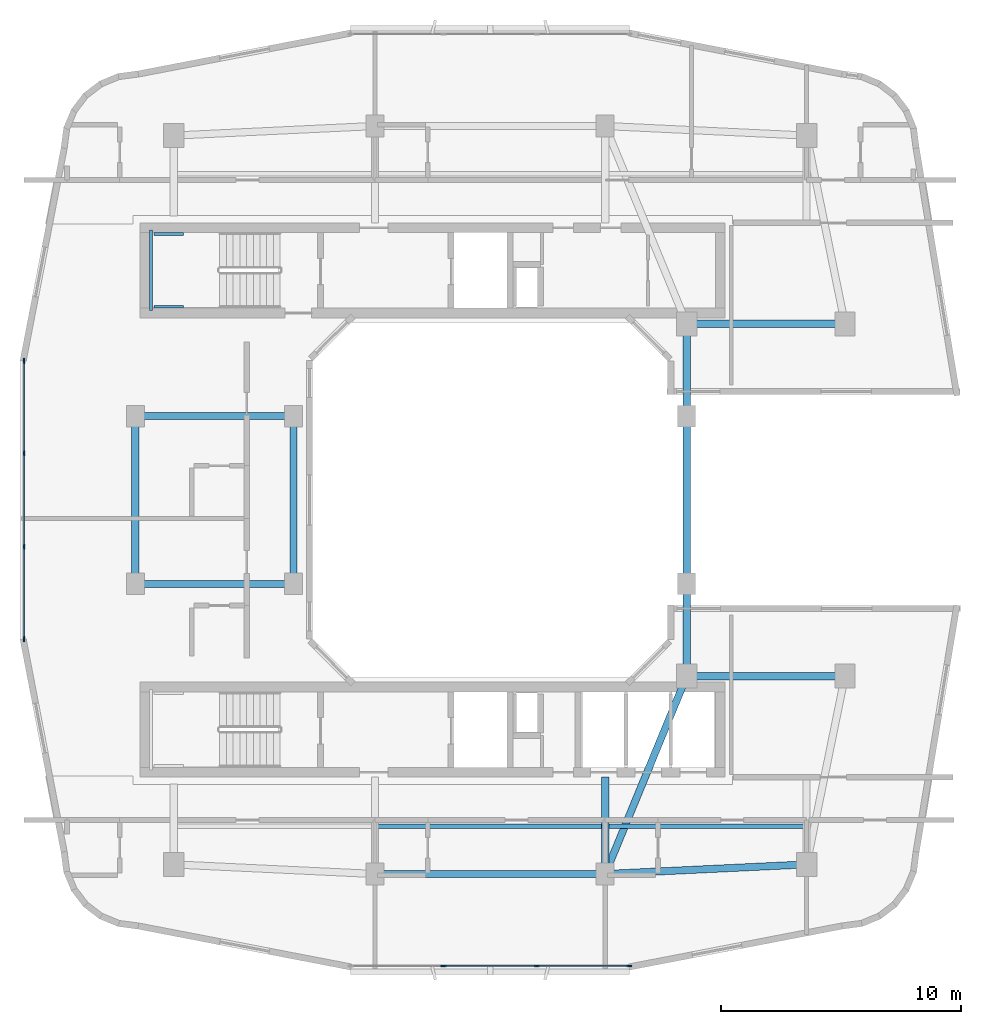
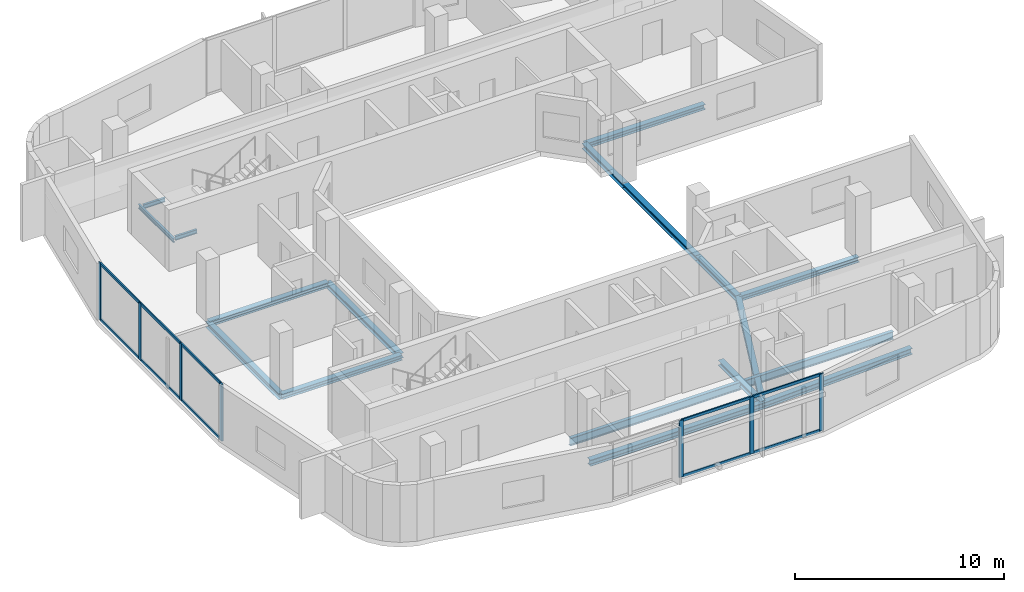
# One storey, part 2 of 12: 18 beams, 17 members, 2 elements without a shape of their own.
"""IFC4 building model written with IfcOpenShell, lengths in metres."""

import ifcopenshell
import ifcopenshell.guid

model = None  # the IFC model being written
_history = None  # IfcOwnerHistory: only IFC2X3 demands one
_inside = {}  # id of a spatial element -> (the spatial element, [elements in it])
_under = {}  # id of a project, library or spatial element -> (it, [spatial elements below it])
_declared = {}  # id of a project -> (the project, [libraries it declares])
_typed = {}  # id of a type object -> (the type object, [elements of that type])
_made_of = {}  # id of a material, layer set ... -> (it, [elements and type objects made of it])


def new_model(schema):
    """Start an empty IFC model of exactly this schema.

    Asked for "IFC4X3", IfcOpenShell would pick the latest addendum, in which some entities
    have other attributes; the version numbers below select the first issue.
    IFC2X3 requires an IfcOwnerHistory on every rooted entity: one is made here for all.
    """
    global model, _history
    if schema == "IFC4X3":
        model = ifcopenshell.file(schema_version=(4, 3, 0, 0))
    else:
        model = ifcopenshell.file(schema=schema)
    _inside.clear()
    _under.clear()
    _declared.clear()
    _typed.clear()
    _made_of.clear()
    _history = None
    if model.schema == "IFC2X3":
        org = make("IfcOrganization", Name="unknown")
        user = make(
            "IfcPersonAndOrganization",
            ThePerson=make("IfcPerson", FamilyName="unknown"),
            TheOrganization=org,
        )
        app = make(
            "IfcApplication",
            ApplicationDeveloper=org,
            Version="unknown",
            ApplicationFullName="unknown",
            ApplicationIdentifier="unknown",
        )
        _history = make(
            "IfcOwnerHistory",
            OwningUser=user,
            OwningApplication=app,
            ChangeAction="ADDED",
            CreationDate=0,
        )
    return model


def make(cls, **values):
    """One entity of the class cls with the attributes given. An attribute that is None is left unset."""
    return model.create_entity(
        cls, **{name: value for name, value in values.items() if value is not None}
    )


def rooted(cls, **values):
    """An entity with a GlobalId (a new one), such as an element, a storey or a relation."""
    return make(cls, GlobalId=ifcopenshell.guid.new(), OwnerHistory=_history, **values)


def si_unit(unit_type, name, prefix=None):
    """IfcSIUnit, for example si_unit("LENGTHUNIT", "METRE", prefix="MILLI")."""
    return make("IfcSIUnit", UnitType=unit_type, Prefix=prefix, Name=name)


def derived_unit(unit_type, elements):
    """IfcDerivedUnit: a product of units, each with its exponent."""
    return make(
        "IfcDerivedUnit",
        Elements=[
            make("IfcDerivedUnitElement", Unit=unit, Exponent=power)
            for unit, power in elements
        ],
        UnitType=unit_type,
    )


def assignment(units):
    """IfcUnitAssignment: the units of a project."""
    return None if units is None else make("IfcUnitAssignment", Units=units)


def point(xyz):
    """IfcCartesianPoint."""
    return None if xyz is None else make("IfcCartesianPoint", Coordinates=xyz)


def direction(xyz):
    """IfcDirection."""
    return None if xyz is None else make("IfcDirection", DirectionRatios=xyz)


def frame(location, z_axis=None, x_axis=None):
    """IfcAxis2Placement3D, a coordinate frame: its origin and axes. An axis left out is left unset."""
    return make(
        "IfcAxis2Placement3D",
        Location=point(location),
        Axis=direction(z_axis),
        RefDirection=direction(x_axis),
    )


def frame_2d(location, x_axis=None):
    """IfcAxis2Placement2D, a coordinate frame in the plane: its origin and x axis."""
    return make(
        "IfcAxis2Placement2D", Location=point(location), RefDirection=direction(x_axis)
    )


def origin():
    """The frame at (0, 0, 0) with its axes left unset."""
    return frame((0.0, 0.0, 0.0))


def origin_2d():
    """The frame at (0, 0) in the plane with its x axis left unset."""
    return frame_2d((0.0, 0.0))


def place(relative_to, where):
    """IfcLocalPlacement: puts the frame where relative to a parent placement (None: the world)."""
    return make(
        "IfcLocalPlacement", PlacementRelTo=relative_to, RelativePlacement=where
    )


def context(
    kind, dimensions, precision=None, world=None, true_north=None, identifier=None
):
    """IfcGeometricRepresentationContext, for example the 3D "Model" context."""
    return make(
        "IfcGeometricRepresentationContext",
        ContextIdentifier=identifier,
        ContextType=kind,
        CoordinateSpaceDimension=dimensions,
        Precision=precision,
        WorldCoordinateSystem=world,
        TrueNorth=true_north,
    )


def subcontext(parent, identifier, kind, view, scale=None):
    """IfcGeometricRepresentationSubContext, for example "Body" below "Model"."""
    return make(
        "IfcGeometricRepresentationSubContext",
        ContextIdentifier=identifier,
        ContextType=kind,
        ParentContext=parent,
        TargetScale=scale,
        TargetView=view,
    )


def project(units=None, contexts=None):
    """IfcProject with its units and contexts."""
    return rooted(
        "IfcProject",
        Name="project",
        RepresentationContexts=contexts,
        UnitsInContext=assignment(units),
    )


def spatial(cls, under=None, at=None, **own):
    """A site, building, storey or space (cls), placed at a placement, below another one or the project."""
    s = rooted(cls, ObjectPlacement=at, **own)
    if under is not None:
        _under.setdefault(under.id(), (under, []))[1].append(s)
    return s


def profile(cls, at=None, kind="AREA", **sizes):
    """A parametric profile (cls). Its sizes go by their IFC names, for example OverallWidth=200.0."""
    return make(cls, ProfileType=kind, Position=at, **sizes)


def rectangle(**sizes):
    """IfcRectangleProfileDef."""
    return profile("IfcRectangleProfileDef", **sizes)


def i_section(**sizes):
    """IfcIShapeProfileDef."""
    return profile("IfcIShapeProfileDef", **sizes)


def extrude(swept, where, along, depth):
    """IfcExtrudedAreaSolid: the profile swept, set in the frame where, extruded along a direction by depth."""
    return make(
        "IfcExtrudedAreaSolid",
        SweptArea=swept,
        Position=where,
        ExtrudedDirection=direction(along),
        Depth=depth,
    )


def shape(context_of_items, identifier, shape_type, items):
    """IfcShapeRepresentation: the items that make up one representation, for example the "Body"."""
    return make(
        "IfcShapeRepresentation",
        ContextOfItems=context_of_items,
        RepresentationIdentifier=identifier,
        RepresentationType=shape_type,
        Items=items,
    )


def material(Name=None, Category=None):
    """IfcMaterial."""
    return make("IfcMaterial", Name=Name, Category=Category)


def layer(
    of_material, thickness, ventilated=None, Name=None, Category=None, Priority=None
):
    """IfcMaterialLayer: one layer of a wall or slab, of a material (None: an air gap)."""
    return make(
        "IfcMaterialLayer",
        Material=of_material,
        LayerThickness=thickness,
        IsVentilated=ventilated,
        Name=Name,
        Category=Category,
        Priority=Priority,
    )


def layer_set(layers, Name=None):
    """IfcMaterialLayerSet."""
    return make("IfcMaterialLayerSet", MaterialLayers=layers, LayerSetName=Name)


def material_profile(
    of_material, cross_section, Name=None, Category=None, Priority=None
):
    """IfcMaterialProfile: a cross section and its material."""
    return make(
        "IfcMaterialProfile",
        Name=Name,
        Material=of_material,
        Profile=cross_section,
        Priority=Priority,
        Category=Category,
    )


def profile_set(profiles, Name=None, composite=None):
    """IfcMaterialProfileSet."""
    return make(
        "IfcMaterialProfileSet",
        Name=Name,
        MaterialProfiles=profiles,
        CompositeProfile=composite,
    )


def made_of(thing, what):
    """Note that an element or type object is made of a material, layer set ...; save() writes the relation."""
    if what is not None:
        _made_of.setdefault(what.id(), (what, []))[1].append(thing)
    return thing


def type_object(cls, material=None, **own):
    """A type object (cls), such as IfcWallType, which elements share."""
    return made_of(rooted(cls, **own), material)


def element(
    cls,
    number,
    at=None,
    inside=None,
    cuts=None,
    type_object=None,
    material=None,
    context=None,
    identifier="Body",
    shape_type=None,
    held_by="IfcProductDefinitionShape",
    body=None,
    shapes=None,
    **own,
):
    """One element of the class cls, such as IfcWall. Its Tag is "e" and its number.

    at: its placement. inside: the storey or other place that contains it. cuts: it is an
    opening in that element (IfcRelVoidsElement). A single representation is given by context,
    identifier, shape_type and body (its items); several are given by shapes. held_by: the class
    of the entity that holds the representations. save() writes the other relations.
    """
    e = rooted(cls, Tag="e%d" % number, ObjectPlacement=at, **own)
    if body is not None:
        shapes = [shape(context, identifier, shape_type, body)]
    if shapes is not None:
        e.Representation = make(held_by, Representations=shapes)
    if inside is not None:
        _inside.setdefault(inside.id(), (inside, []))[1].append(e)
    if cuts is not None:
        rooted(
            "IfcRelVoidsElement", RelatingBuildingElement=cuts, RelatedOpeningElement=e
        )
    if type_object is not None:
        _typed.setdefault(type_object.id(), (type_object, []))[1].append(e)
    return made_of(e, material)


def aggregate(whole, parts):
    """IfcRelAggregates: a whole, such as a stair, and the parts it consists of."""
    return rooted("IfcRelAggregates", RelatingObject=whole, RelatedObjects=parts)


def save(model, path):
    """Write the relations noted so far, then the file.

    IfcRelAggregates (storeys below a building ...), IfcRelContainedInSpatialStructure (elements
    in a storey), IfcRelDefinesByType, IfcRelAssociatesMaterial and IfcRelDeclares: one each for
    every whole, place, type object, material and project.
    """
    for whole, parts in _under.values():
        aggregate(whole, parts)
    for where, things in _inside.values():
        rooted(
            "IfcRelContainedInSpatialStructure",
            RelatedElements=things,
            RelatingStructure=where,
        )
    for kind, things in _typed.values():
        rooted("IfcRelDefinesByType", RelatedObjects=things, RelatingType=kind)
    for what, things in _made_of.values():
        rooted("IfcRelAssociatesMaterial", RelatedObjects=things, RelatingMaterial=what)
    for by, libraries in _declared.values():
        rooted("IfcRelDeclares", RelatingContext=by, RelatedDefinitions=libraries)
    model.write(path)


model = new_model("IFC4")

# Units and contexts
model_context = context("Model", 3, precision=1e-05, world=origin(), true_north=direction((0.0, 1.0)))
body_context = subcontext(model_context, "Body", "Model", "MODEL_VIEW")
ifc_project = project(units=[si_unit("LENGTHUNIT", "METRE"), si_unit("AREAUNIT", "SQUARE_METRE"), si_unit("VOLUMEUNIT", "CUBIC_METRE"), si_unit("PLANEANGLEUNIT", "RADIAN"), si_unit("MASSUNIT", "GRAM", prefix="KILO"), derived_unit("THERMALTRANSMITTANCEUNIT", [(si_unit("POWERUNIT", "WATT"), 1), (si_unit("LENGTHUNIT", "METRE"), -2), (si_unit("THERMODYNAMICTEMPERATUREUNIT", "KELVIN"), -1)])], contexts=[model_context])

# Site, building, storey
site_placement = place(None, origin())
site = spatial("IfcSite", under=ifc_project, at=site_placement, CompositionType="ELEMENT")
building_placement = place(site_placement, origin())
building = spatial("IfcBuilding", under=site, at=building_placement, Name="Kivonza Crest Hotel", CompositionType="ELEMENT")
storey_placement = place(building_placement, frame((0.0, 0.0, 181.10009765625)))
storey = spatial("IfcBuildingStorey", under=building, at=storey_placement, Name="L49", CompositionType="ELEMENT", Elevation=181.10009765625)

# Beams
ifc_material_1 = material(Name="Steel S355", Category="steel")
ifc_material_profile_1 = material_profile(ifc_material_1, i_section(OverallWidth=0.300048828125, OverallDepth=0.300048828125, WebThickness=0.010986328125, FlangeThickness=0.01904296875, FilletRadius=0.027099609375, at=origin_2d()), Name="HEB 300")
ifc_profile_set_1 = profile_set([ifc_material_profile_1], Name="Steel S355")
beam_type_1 = type_object("IfcBeamType", Name="BM-HEB300", PredefinedType="BEAM", material=ifc_profile_set_1)
for number, where, z_axis, x_axis, name in (
    (1, (6.199951171875, 21.5, -0.43017578125), (1.0, 0.0, 0.0), (0.0, 1.0, 0.0), "Tower T1 L49 primary girder W1-WL1"),
    (2, (6.199951171875, 28.5, -0.43017578125), (1.0, 0.0, 0.0), (0.0, 1.0, 0.0), "Tower T1 L49 primary girder W2-WL2"),
):
    element("IfcBeam", number, at=place(storey_placement, frame(where, z_axis=z_axis, x_axis=x_axis)), inside=storey, type_object=beam_type_1, Name=name, PredefinedType="BEAM", context=body_context, shape_type="SweptSolid", body=[
        extrude(i_section(OverallWidth=0.300048828125, OverallDepth=0.300048828125, WebThickness=0.010986328125, FlangeThickness=0.01904296875, FilletRadius=0.027099609375, at=origin_2d()), origin(), (0.0, 0.0, 1.0), 6.60009765625),
    ])
beam_1_placement = place(storey_placement, frame((12.800048828125, 21.5, -0.43017578125), z_axis=(0.0, 1.0, 0.0), x_axis=(-1.0, 0.0, 0.0)))
element("IfcBeam", 3, at=beam_1_placement, inside=storey, type_object=beam_type_1, Name="Tower T1 L49 primary girder WL1-WL2", PredefinedType="BEAM", context=body_context, shape_type="SweptSolid", body=[
    extrude(i_section(OverallWidth=0.300048828125, OverallDepth=0.300048828125, WebThickness=0.010986328125, FlangeThickness=0.01904296875, FilletRadius=0.027099609375, at=origin_2d()), origin(), (0.0, 0.0, 1.0), 7.0),
])
beam_2_placement = place(storey_placement, frame((25.800048828125, 9.39990234375, -0.43017578125), z_axis=(0.381022260404, 0.924565864109, 0.0), x_axis=(-0.924565864109, 0.381022260404, 0.0)))
element("IfcBeam", 4, at=beam_2_placement, inside=storey, type_object=beam_type_1, Name="Tower T1 L49 primary girder S1-TSE", PredefinedType="BEAM", context=body_context, shape_type="SweptSolid", body=[
    extrude(i_section(OverallWidth=0.300048828125, OverallDepth=0.300048828125, WebThickness=0.010986328125, FlangeThickness=0.01904296875, FilletRadius=0.027099609375, at=origin_2d()), origin(), (0.0, 0.0, 1.0), 8.923095703125),
])
for number, where, z_axis, x_axis, name in (
    (5, (29.199951171875, 17.64990234375, -0.43017578125), (1.0, 0.0, 0.0), (0.0, 1.0, 0.0), "Tower T1 L49 primary girder TSE-PSE"),
    (6, (29.199951171875, 32.35009765625, -0.43017578125), (1.0, 0.0, 0.0), (0.0, 1.0, 0.0), "Tower T1 L49 primary girder TNE-PNE"),
):
    element("IfcBeam", number, at=place(storey_placement, frame(where, z_axis=z_axis, x_axis=x_axis)), inside=storey, type_object=beam_type_1, Name=name, PredefinedType="BEAM", context=body_context, shape_type="SweptSolid", body=[
        extrude(i_section(OverallWidth=0.300048828125, OverallDepth=0.300048828125, WebThickness=0.010986328125, FlangeThickness=0.01904296875, FilletRadius=0.027099609375, at=origin_2d()), origin(), (0.0, 0.0, 1.0), 6.60009765625),
    ])
beam_3_placement = place(storey_placement, frame((29.199951171875, 21.5, -0.43017578125), z_axis=(0.0, 1.0, 0.0), x_axis=(-1.0, 0.0, 0.0)))
element("IfcBeam", 7, at=beam_3_placement, inside=storey, type_object=beam_type_1, Name="Tower T1 L49 primary girder WR1-WR2", PredefinedType="BEAM", context=body_context, shape_type="SweptSolid", body=[
    extrude(i_section(OverallWidth=0.300048828125, OverallDepth=0.300048828125, WebThickness=0.010986328125, FlangeThickness=0.01904296875, FilletRadius=0.027099609375, at=origin_2d()), origin(), (0.0, 0.0, 1.0), 7.0),
])
for number, where, z_axis, x_axis, name in (
    (8, (29.199951171875, 17.64990234375, -0.43017578125), (0.0, 1.0, 0.0), (-1.0, 0.0, 0.0), "Tower T1 L49 primary girder TSE-WR1"),
    (9, (29.199951171875, 28.5, -0.43017578125), (0.0, 1.0, 0.0), (-1.0, 0.0, 0.0), "Tower T1 L49 primary girder WR2-TNE"),
):
    element("IfcBeam", number, at=place(storey_placement, frame(where, z_axis=z_axis, x_axis=x_axis)), inside=storey, type_object=beam_type_1, Name=name, PredefinedType="BEAM", context=body_context, shape_type="SweptSolid", body=[
        extrude(i_section(OverallWidth=0.300048828125, OverallDepth=0.300048828125, WebThickness=0.010986328125, FlangeThickness=0.01904296875, FilletRadius=0.027099609375, at=origin_2d()), origin(), (0.0, 0.0, 1.0), 3.85009765625),
    ])
beam_4_placement = place(storey_placement, frame((25.800048828125, 9.39990234375, -0.43017578125), z_axis=(0.0, 1.0, 0.0), x_axis=(-1.0, 0.0, 0.0)))
element("IfcBeam", 10, at=beam_4_placement, inside=storey, type_object=beam_type_1, Name="Tower T1 L49 radial core girder RS2", PredefinedType="BEAM", context=body_context, shape_type="SweptSolid", body=[
    extrude(i_section(OverallWidth=0.300048828125, OverallDepth=0.300048828125, WebThickness=0.010986328125, FlangeThickness=0.01904296875, FilletRadius=0.027099609375, at=origin_2d()), origin(), (0.0, 0.0, 1.0), 4.050048828125),
])
ifc_material_profile_2 = material_profile(ifc_material_1, i_section(OverallWidth=0.300048828125, OverallDepth=0.360107421875, WebThickness=0.012451171875, FlangeThickness=0.0224609375, FilletRadius=0.027099609375, at=origin_2d()), Name="HEB 360")
ifc_profile_set_2 = profile_set([ifc_material_profile_2], Name="Steel S355")
beam_type_2 = type_object("IfcBeamType", Name="BM-HEB360", PredefinedType="SPANDREL", material=ifc_profile_set_2)
beam_5_placement = place(storey_placement, frame((16.199951171875, 9.39990234375, -0.460205078125), z_axis=(1.0, 0.0, 0.0), x_axis=(0.0, 1.0, 0.0)))
element("IfcBeam", 11, at=beam_5_placement, inside=storey, type_object=beam_type_2, Name="Tower T1 L49 perimeter spandrel S1-S2", PredefinedType="SPANDREL", context=body_context, shape_type="SweptSolid", body=[
    extrude(i_section(OverallWidth=0.300048828125, OverallDepth=0.360107421875, WebThickness=0.012451171875, FlangeThickness=0.0224609375, FilletRadius=0.027099609375, at=origin_2d()), origin(), (0.0, 0.0, 1.0), 9.60009765625),
])
beam_6_placement = place(storey_placement, frame((25.800048828125, 9.39990234375, -0.460205078125), z_axis=(0.998867283688, 0.047583080799, 0.0), x_axis=(-0.047583080799, 0.998867283688, 0.0)))
element("IfcBeam", 12, at=beam_6_placement, inside=storey, type_object=beam_type_2, Name="Tower T1 L49 perimeter spandrel S2-SE", PredefinedType="SPANDREL", context=body_context, shape_type="SweptSolid", body=[
    extrude(i_section(OverallWidth=0.300048828125, OverallDepth=0.360107421875, WebThickness=0.012451171875, FlangeThickness=0.0224609375, FilletRadius=0.027099609375, at=origin_2d()), origin(), (0.0, 0.0, 1.0), 8.409423828125),
])
beam_7_placement = place(storey_placement, frame((6.199951171875, 28.5, -0.460205078125), z_axis=(0.0, -1.0, 0.0), x_axis=(1.0, 0.0, 0.0)))
element("IfcBeam", 13, at=beam_7_placement, inside=storey, type_object=beam_type_2, Name="Tower T1 L49 perimeter spandrel W2-W1", PredefinedType="SPANDREL", context=body_context, shape_type="SweptSolid", body=[
    extrude(i_section(OverallWidth=0.300048828125, OverallDepth=0.360107421875, WebThickness=0.012451171875, FlangeThickness=0.0224609375, FilletRadius=0.027099609375, at=origin_2d()), origin(), (0.0, 0.0, 1.0), 7.0),
])
ifc_material_profile_3 = material_profile(ifc_material_1, i_section(OverallWidth=0.18994140625, OverallDepth=0.449951171875, WebThickness=0.009521484375, FlangeThickness=0.0146484375, FilletRadius=0.02099609375, at=origin_2d()), Name="IPE 450")
ifc_profile_set_3 = profile_set([ifc_material_profile_3], Name="Steel S355")
beam_type_3 = type_object("IfcBeamType", Name="BM-IPE450", PredefinedType="JOIST", material=ifc_profile_set_3)
beam_8_placement = place(storey_placement, frame((16.280029296875, 11.39990234375, -0.505126953125), z_axis=(1.0, 0.0, 0.0), x_axis=(0.0, 1.0, 0.0)))
element("IfcBeam", 14, at=beam_8_placement, inside=storey, type_object=beam_type_3, Name="Tower T1 L49 South-Mid floor joist", PredefinedType="JOIST", context=body_context, shape_type="SweptSolid", body=[
    extrude(i_section(OverallWidth=0.18994140625, OverallDepth=0.449951171875, WebThickness=0.009521484375, FlangeThickness=0.0146484375, FilletRadius=0.02099609375, at=origin_2d()), origin(), (0.0, 0.0, 1.0), 9.43994140625),
])
beam_9_placement = place(storey_placement, frame((25.8798828125, 11.39990234375, -0.505126953125), z_axis=(1.0, 0.0, 0.0), x_axis=(0.0, 1.0, 0.0)))
element("IfcBeam", 15, at=beam_9_placement, inside=storey, type_object=beam_type_3, Name="Tower T1 L49 South-East floor joist", PredefinedType="JOIST", context=body_context, shape_type="SweptSolid", body=[
    extrude(i_section(OverallWidth=0.18994140625, OverallDepth=0.449951171875, WebThickness=0.009521484375, FlangeThickness=0.0146484375, FilletRadius=0.02099609375, at=origin_2d()), origin(), (0.0, 0.0, 1.0), 8.240234375),
])
ifc_material_profile_4 = material_profile(ifc_material_1, i_section(OverallWidth=0.1201171875, OverallDepth=0.239990234375, WebThickness=0.006103515625, FlangeThickness=0.009765625, FilletRadius=0.014892578125, at=origin_2d()), Name="IPE 240")
ifc_profile_set_4 = profile_set([ifc_material_profile_4], Name="Steel S355")
beam_type_4 = type_object("IfcBeamType", Name="BM-LLDG-240", PredefinedType="BEAM", material=ifc_profile_set_4)
beam_10_placement = place(storey_placement, frame((6.860107421875, 32.89990234375, 1.47998046875), z_axis=(0.0, 1.0, 0.0), x_axis=(-1.0, 0.0, 0.0)))
element("IfcBeam", 16, at=beam_10_placement, inside=storey, type_object=beam_type_4, Name="Stair ST-T1-N L49 West landing corbel", PredefinedType="BEAM", context=body_context, shape_type="SweptSolid", body=[
    extrude(i_section(OverallWidth=0.1201171875, OverallDepth=0.239990234375, WebThickness=0.006103515625, FlangeThickness=0.009765625, FilletRadius=0.014892578125, at=origin_2d()), origin(), (0.0, 0.0, 1.0), 3.360107421875),
])
for number, where, z_axis, x_axis, name in (
    (17, (6.989990234375, 33.06005859375, 1.47998046875), (1.0, 0.0, 0.0), (0.0, 1.0, 0.0), "Stair ST-T1-N L49 South landing corbel"),
    (18, (6.989990234375, 36.10009765625, 1.47998046875), (1.0, 0.0, 0.0), (0.0, 1.0, 0.0), "Stair ST-T1-N L49 North landing corbel"),
):
    element("IfcBeam", number, at=place(storey_placement, frame(where, z_axis=z_axis, x_axis=x_axis)), inside=storey, type_object=beam_type_4, Name=name, PredefinedType="BEAM", context=body_context, shape_type="SweptSolid", body=[
        extrude(i_section(OverallWidth=0.1201171875, OverallDepth=0.239990234375, WebThickness=0.006103515625, FlangeThickness=0.009765625, FilletRadius=0.014892578125, at=origin_2d()), origin(), (0.0, 0.0, 1.0), 1.2099609375),
    ])

# Curtain wall, members
ifc_material_2 = material(Name="Anodised bronze aluminium and low-E double glazing", Category="aluminium")
ifc_layer = layer(ifc_material_2, 0.179931640625)
ifc_layer_set = layer_set([ifc_layer], Name="Anodised bronze aluminium and low-E double glazing")
curtain_wall_type = type_object("IfcCurtainWallType", Name="CW-SYS-3", PredefinedType="NOTDEFINED", material=ifc_layer_set)
curtain_wall_1_placement = place(storey_placement, origin())
curtain_wall_1 = element("IfcCurtainWall", 19, at=curtain_wall_1_placement, inside=storey, type_object=curtain_wall_type, Name="L49 unitised curtain wall CW-T1-L49-08", PredefinedType="NOTDEFINED")
ifc_material_3 = material(Name="Anodised bronze aluminium", Category="aluminium")
ifc_material_profile_5 = material_profile(ifc_material_3, rectangle(XDim=0.074951171875, YDim=0.219970703125, at=origin_2d()), Name="CW-M 75x220")
ifc_profile_set_5 = profile_set([ifc_material_profile_5], Name="Anodised bronze aluminium")
member_type_1 = type_object("IfcMemberType", Name="CW-MUL-75x220", PredefinedType="MULLION", material=ifc_profile_set_5)
member_1_placement = place(storey_placement, frame((19.05322265625, 5.56005859375, 0.0), z_axis=(0.0, 0.0, 1.0), x_axis=(0.0, 1.0, 0.0)))
member_1 = element("IfcMember", 20, at=member_1_placement, type_object=member_type_1, Name="CW-3 mullion 2", PredefinedType="MULLION", context=body_context, shape_type="SweptSolid", body=[
    extrude(rectangle(XDim=0.074951171875, YDim=0.219970703125, at=origin_2d()), origin(), (0.0, 0.0, 1.0), 3.31982421875),
])
member_2_placement = place(storey_placement, frame((22.94677734375, 5.56005859375, 0.0), z_axis=(0.0, 0.0, 1.0), x_axis=(0.0, 1.0, 0.0)))
member_2 = element("IfcMember", 21, at=member_2_placement, type_object=member_type_1, Name="CW-3 mullion 3", PredefinedType="MULLION", context=body_context, shape_type="SweptSolid", body=[
    extrude(rectangle(XDim=0.074951171875, YDim=0.219970703125, at=origin_2d()), origin(), (0.0, 0.0, 1.0), 3.31982421875),
])
member_3_placement = place(storey_placement, frame((26.802490234375, 5.56005859375, 0.0), z_axis=(0.0, 0.0, 1.0), x_axis=(0.0, 1.0, 0.0)))
member_3 = element("IfcMember", 22, at=member_3_placement, type_object=member_type_1, Name="CW-3 mullion 4", PredefinedType="MULLION", context=body_context, shape_type="SweptSolid", body=[
    extrude(rectangle(XDim=0.074951171875, YDim=0.219970703125, at=origin_2d()), origin(), (0.0, 0.0, 1.0), 3.31982421875),
])

curtain_wall_2_placement = place(storey_placement, origin())
curtain_wall_2 = element("IfcCurtainWall", 23, at=curtain_wall_2_placement, inside=storey, type_object=curtain_wall_type, Name="L49 unitised curtain wall CW-T1-L49-45", PredefinedType="NOTDEFINED")
member_4_placement = place(storey_placement, frame((1.56005859375, 30.802490234375, 0.0), z_axis=(0.0, 0.0, 1.0), x_axis=(1.0, 0.0, 0.0)))
member_4 = element("IfcMember", 24, at=member_4_placement, type_object=member_type_1, Name="CW-3 mullion 1", PredefinedType="MULLION", context=body_context, shape_type="SweptSolid", body=[
    extrude(rectangle(XDim=0.074951171875, YDim=0.219970703125, at=origin_2d()), origin(), (0.0, 0.0, 1.0), 3.31982421875),
])
member_5_placement = place(storey_placement, frame((1.56005859375, 26.94677734375, 0.0), z_axis=(0.0, 0.0, 1.0), x_axis=(1.0, 0.0, 0.0)))
member_5 = element("IfcMember", 25, at=member_5_placement, type_object=member_type_1, Name="CW-3 mullion 2", PredefinedType="MULLION", context=body_context, shape_type="SweptSolid", body=[
    extrude(rectangle(XDim=0.074951171875, YDim=0.219970703125, at=origin_2d()), origin(), (0.0, 0.0, 1.0), 3.31982421875),
])
member_6_placement = place(storey_placement, frame((1.56005859375, 23.05322265625, 0.0), z_axis=(0.0, 0.0, 1.0), x_axis=(1.0, 0.0, 0.0)))
member_6 = element("IfcMember", 26, at=member_6_placement, type_object=member_type_1, Name="CW-3 mullion 3", PredefinedType="MULLION", context=body_context, shape_type="SweptSolid", body=[
    extrude(rectangle(XDim=0.074951171875, YDim=0.219970703125, at=origin_2d()), origin(), (0.0, 0.0, 1.0), 3.31982421875),
])
member_7_placement = place(storey_placement, frame((1.56005859375, 19.197509765625, 0.0), z_axis=(0.0, 0.0, 1.0), x_axis=(1.0, 0.0, 0.0)))
member_7 = element("IfcMember", 27, at=member_7_placement, type_object=member_type_1, Name="CW-3 mullion 4", PredefinedType="MULLION", context=body_context, shape_type="SweptSolid", body=[
    extrude(rectangle(XDim=0.074951171875, YDim=0.219970703125, at=origin_2d()), origin(), (0.0, 0.0, 1.0), 3.31982421875),
])

# Member
ifc_material_profile_6 = material_profile(ifc_material_3, rectangle(XDim=0.074951171875, YDim=0.159912109375, at=origin_2d()), Name="CW-T 75x160")
ifc_profile_set_6 = profile_set([ifc_material_profile_6], Name="Anodised bronze aluminium")
member_type_2 = type_object("IfcMemberType", Name="CW-TRN-75x160", PredefinedType="USERDEFINED", material=ifc_profile_set_6)
member_8_placement = place(storey_placement, frame((19.0908203125, 5.56005859375, 0.037353515625), z_axis=(1.0, 0.0, 0.0), x_axis=(0.0, 1.0, 0.0)))
member_8 = element("IfcMember", 28, at=member_8_placement, type_object=member_type_2, Name="CW-3 transom 2.1", ObjectType="TRANSOM", PredefinedType="USERDEFINED", context=body_context, shape_type="SweptSolid", body=[
    extrude(rectangle(XDim=0.074951171875, YDim=0.159912109375, at=origin_2d()), origin(), (0.0, 0.0, 1.0), 3.818359375),
])

member_9_placement = place(storey_placement, frame((19.0908203125, 5.56005859375, 3.282470703125), z_axis=(1.0, 0.0, 0.0), x_axis=(0.0, 1.0, 0.0)))
member_9 = element("IfcMember", 29, at=member_9_placement, type_object=member_type_2, Name="CW-3 transom 2.2", ObjectType="TRANSOM", PredefinedType="USERDEFINED", context=body_context, shape_type="SweptSolid", body=[
    extrude(rectangle(XDim=0.074951171875, YDim=0.159912109375, at=origin_2d()), origin(), (0.0, 0.0, 1.0), 3.818359375),
])

member_10_placement = place(storey_placement, frame((22.984130859375, 5.56005859375, 0.037353515625), z_axis=(1.0, 0.0, 0.0), x_axis=(0.0, 1.0, 0.0)))
member_10 = element("IfcMember", 30, at=member_10_placement, type_object=member_type_2, Name="CW-3 transom 3.1", ObjectType="TRANSOM", PredefinedType="USERDEFINED", context=body_context, shape_type="SweptSolid", body=[
    extrude(rectangle(XDim=0.074951171875, YDim=0.159912109375, at=origin_2d()), origin(), (0.0, 0.0, 1.0), 3.78076171875),
])

member_11_placement = place(storey_placement, frame((22.984130859375, 5.56005859375, 3.282470703125), z_axis=(1.0, 0.0, 0.0), x_axis=(0.0, 1.0, 0.0)))
member_11 = element("IfcMember", 31, at=member_11_placement, type_object=member_type_2, Name="CW-3 transom 3.2", ObjectType="TRANSOM", PredefinedType="USERDEFINED", context=body_context, shape_type="SweptSolid", body=[
    extrude(rectangle(XDim=0.074951171875, YDim=0.159912109375, at=origin_2d()), origin(), (0.0, 0.0, 1.0), 3.78076171875),
])

aggregate(curtain_wall_1, [member_1, member_2, member_3, member_8, member_9, member_10, member_11])

member_12_placement = place(storey_placement, frame((1.56005859375, 30.764892578125, 0.037353515625), z_axis=(0.0, -1.0, 0.0), x_axis=(1.0, 0.0, 0.0)))
member_12 = element("IfcMember", 32, at=member_12_placement, type_object=member_type_2, Name="CW-3 transom 1.1", ObjectType="TRANSOM", PredefinedType="USERDEFINED", context=body_context, shape_type="SweptSolid", body=[
    extrude(rectangle(XDim=0.074951171875, YDim=0.159912109375, at=origin_2d()), origin(), (0.0, 0.0, 1.0), 3.78076171875),
])

member_13_placement = place(storey_placement, frame((1.56005859375, 30.764892578125, 3.282470703125), z_axis=(0.0, -1.0, 0.0), x_axis=(1.0, 0.0, 0.0)))
member_13 = element("IfcMember", 33, at=member_13_placement, type_object=member_type_2, Name="CW-3 transom 1.2", ObjectType="TRANSOM", PredefinedType="USERDEFINED", context=body_context, shape_type="SweptSolid", body=[
    extrude(rectangle(XDim=0.074951171875, YDim=0.159912109375, at=origin_2d()), origin(), (0.0, 0.0, 1.0), 3.78076171875),
])

member_14_placement = place(storey_placement, frame((1.56005859375, 26.9091796875, 0.037353515625), z_axis=(0.0, -1.0, 0.0), x_axis=(1.0, 0.0, 0.0)))
member_14 = element("IfcMember", 34, at=member_14_placement, type_object=member_type_2, Name="CW-3 transom 2.1", ObjectType="TRANSOM", PredefinedType="USERDEFINED", context=body_context, shape_type="SweptSolid", body=[
    extrude(rectangle(XDim=0.074951171875, YDim=0.159912109375, at=origin_2d()), origin(), (0.0, 0.0, 1.0), 3.818359375),
])

member_15_placement = place(storey_placement, frame((1.56005859375, 26.9091796875, 3.282470703125), z_axis=(0.0, -1.0, 0.0), x_axis=(1.0, 0.0, 0.0)))
member_15 = element("IfcMember", 35, at=member_15_placement, type_object=member_type_2, Name="CW-3 transom 2.2", ObjectType="TRANSOM", PredefinedType="USERDEFINED", context=body_context, shape_type="SweptSolid", body=[
    extrude(rectangle(XDim=0.074951171875, YDim=0.159912109375, at=origin_2d()), origin(), (0.0, 0.0, 1.0), 3.818359375),
])

member_16_placement = place(storey_placement, frame((1.56005859375, 23.015869140625, 0.037353515625), z_axis=(0.0, -1.0, 0.0), x_axis=(1.0, 0.0, 0.0)))
member_16 = element("IfcMember", 36, at=member_16_placement, type_object=member_type_2, Name="CW-3 transom 3.1", ObjectType="TRANSOM", PredefinedType="USERDEFINED", context=body_context, shape_type="SweptSolid", body=[
    extrude(rectangle(XDim=0.074951171875, YDim=0.159912109375, at=origin_2d()), origin(), (0.0, 0.0, 1.0), 3.78076171875),
])

member_17_placement = place(storey_placement, frame((1.56005859375, 23.015869140625, 3.282470703125), z_axis=(0.0, -1.0, 0.0), x_axis=(1.0, 0.0, 0.0)))
member_17 = element("IfcMember", 37, at=member_17_placement, type_object=member_type_2, Name="CW-3 transom 3.2", ObjectType="TRANSOM", PredefinedType="USERDEFINED", context=body_context, shape_type="SweptSolid", body=[
    extrude(rectangle(XDim=0.074951171875, YDim=0.159912109375, at=origin_2d()), origin(), (0.0, 0.0, 1.0), 3.78076171875),
])

aggregate(curtain_wall_2, [member_4, member_5, member_6, member_7, member_12, member_13, member_14, member_15, member_16, member_17])

save(model, "model.ifc")
